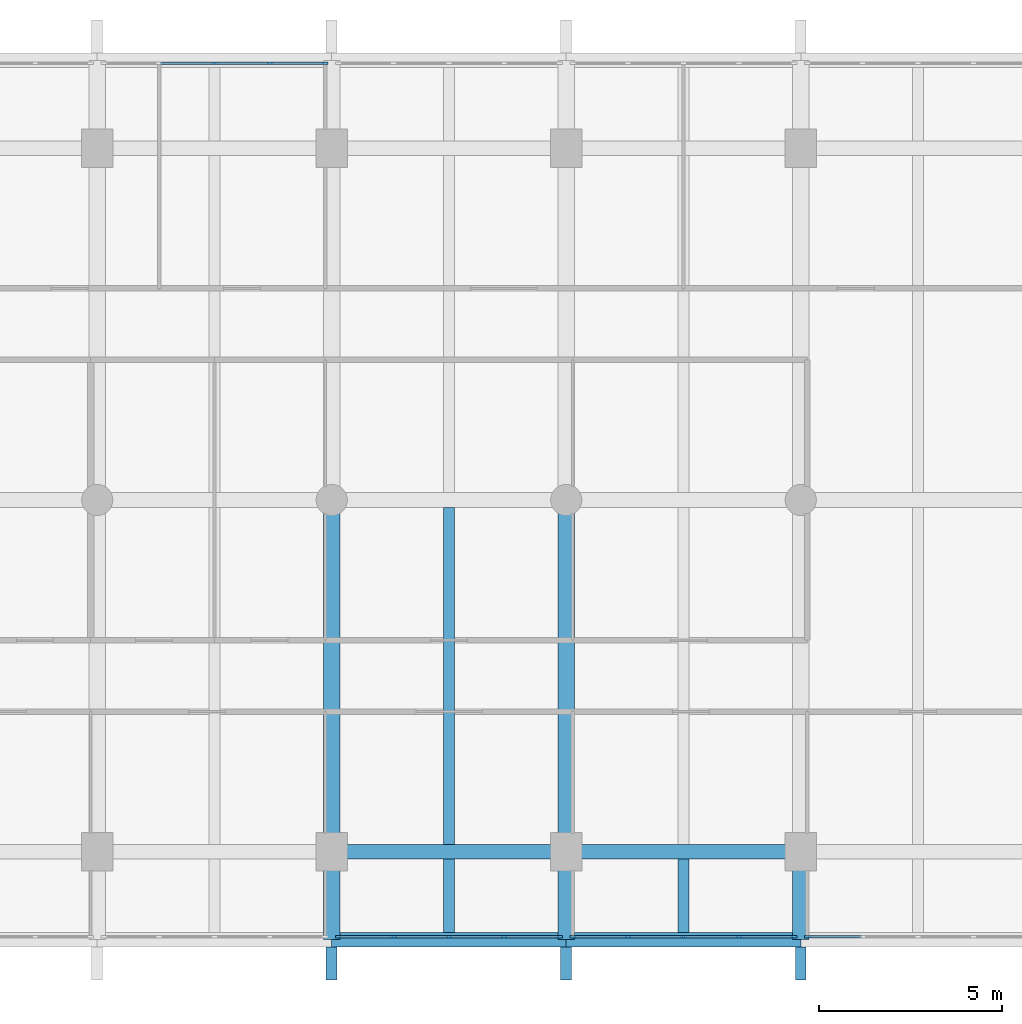
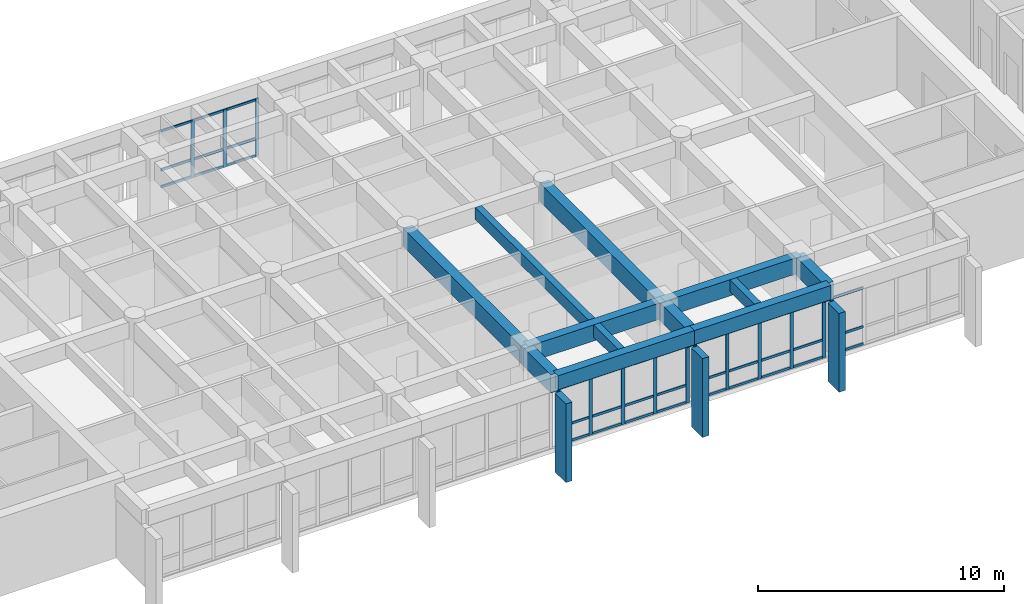
# One storey, part 4 of 15: 53 members, 12 beams, 4 elements without a shape of their own.
"""IFC4 building model written with IfcOpenShell, lengths in metres."""

from ifc_helpers import new_model, si_unit, direction, frame, origin, origin_2d, place, context, subcontext, project, spatial, rectangle, extrude, material, layer, layer_set, material_profile, profile_set, type_object, element, aggregate, save


model = new_model("IFC4")

# Units and contexts
model_context = context("Model", 3, precision=1e-05, world=origin(), true_north=direction((0.0, 1.0)))
body_context = subcontext(model_context, "Body", "Model", "MODEL_VIEW")
ifc_project = project(units=[si_unit("LENGTHUNIT", "METRE"), si_unit("AREAUNIT", "SQUARE_METRE"), si_unit("VOLUMEUNIT", "CUBIC_METRE"), si_unit("PLANEANGLEUNIT", "RADIAN"), si_unit("MASSUNIT", "GRAM", prefix="KILO")], contexts=[model_context])

# Site, building, storey
site_placement = place(None, origin())
site = spatial("IfcSite", under=ifc_project, at=site_placement, CompositionType="ELEMENT")
building_placement = place(site_placement, origin())
building = spatial("IfcBuilding", under=site, at=building_placement, Name="Fogon Plaza Fire Station and Headquarters Tower", CompositionType="ELEMENT")
storey_placement = place(building_placement, frame((0.0, 0.0, 52.199951171875)))
storey = spatial("IfcBuildingStorey", under=building, at=storey_placement, Name="L13", CompositionType="ELEMENT", Elevation=52.199951171875)

# Beams
ifc_material_1 = material(Name="Concrete C40", Category="concrete")
ifc_material_profile_1 = material_profile(ifc_material_1, rectangle(XDim=0.39990234375, YDim=0.699951171875, at=origin_2d()), Name="RC 400x700")
ifc_profile_set_1 = profile_set([ifc_material_profile_1], Name="Concrete C40")
beam_type_1 = type_object("IfcBeamType", Name="BEAM RC 400x700", PredefinedType="BEAM", material=ifc_profile_set_1)
beam_1_placement = place(storey_placement, frame((44.800048828125, 31.199951171875, 3.330078125), z_axis=(1.0, 0.0, 0.0), x_axis=(0.0, 1.0, 0.0)))
element("IfcBeam", 1, at=beam_1_placement, inside=storey, type_object=beam_type_1, Name="beam-L13-042", PredefinedType="BEAM", context=body_context, shape_type="SweptSolid", body=[
    extrude(rectangle(XDim=0.39990234375, YDim=0.699951171875, at=origin_2d()), origin(), (0.0, 0.0, 1.0), 6.39990234375),
])
beam_2_placement = place(storey_placement, frame((51.199951171875, 31.199951171875, 3.330078125), z_axis=(1.0, 0.0, 0.0), x_axis=(0.0, 1.0, 0.0)))
element("IfcBeam", 2, at=beam_2_placement, inside=storey, type_object=beam_type_1, Name="beam-L13-043", PredefinedType="BEAM", context=body_context, shape_type="SweptSolid", body=[
    extrude(rectangle(XDim=0.39990234375, YDim=0.699951171875, at=origin_2d()), origin(), (0.0, 0.0, 1.0), 6.400146484375),
])
ifc_material_2 = material(Name="Concrete C40", Category="concrete")
ifc_material_profile_2 = material_profile(ifc_material_2, rectangle(XDim=0.39990234375, YDim=0.800048828125, at=origin_2d()), Name="RC 400x800")
ifc_profile_set_2 = profile_set([ifc_material_profile_2], Name="Concrete C40")
beam_type_2 = type_object("IfcBeamType", Name="BEAM RC 400x800", PredefinedType="BEAM", material=ifc_profile_set_2)
beam_3_placement = place(storey_placement, frame((44.800048828125, 33.60009765625, 3.280029296875), z_axis=(1.0, 0.0, 0.0), x_axis=(0.0, 1.0, 0.0)))
element("IfcBeam", 3, at=beam_3_placement, inside=storey, type_object=beam_type_2, Name="beam-L13-024", PredefinedType="BEAM", context=body_context, shape_type="SweptSolid", body=[
    extrude(rectangle(XDim=0.39990234375, YDim=0.800048828125, at=origin_2d()), origin(), (0.0, 0.0, 1.0), 6.39990234375),
])
beam_4_placement = place(storey_placement, frame((51.199951171875, 33.60009765625, 3.280029296875), z_axis=(1.0, 0.0, 0.0), x_axis=(0.0, 1.0, 0.0)))
element("IfcBeam", 4, at=beam_4_placement, inside=storey, type_object=beam_type_2, Name="beam-L13-025", PredefinedType="BEAM", context=body_context, shape_type="SweptSolid", body=[
    extrude(rectangle(XDim=0.39990234375, YDim=0.800048828125, at=origin_2d()), origin(), (0.0, 0.0, 1.0), 6.400146484375),
])
ifc_material_3 = material(Name="Concrete C40", Category="concrete")
ifc_material_profile_3 = material_profile(ifc_material_3, rectangle(XDim=0.449951171875, YDim=0.89990234375, at=origin_2d()), Name="RC 450x900")
ifc_profile_set_3 = profile_set([ifc_material_profile_3], Name="Concrete C40")
beam_type_3 = type_object("IfcBeamType", Name="BEAM RC 450x900", PredefinedType="BEAM", material=ifc_profile_set_3)
for number, where, z_axis, x_axis, name in (
    (5, (44.800048828125, 33.60009765625, 3.22998046875), (0.0, 1.0, 0.0), (-1.0, 0.0, 0.0), "beam-L13-010"),
    (6, (51.199951171875, 33.60009765625, 3.22998046875), (0.0, 1.0, 0.0), (-1.0, 0.0, 0.0), "beam-L13-014"),
):
    element("IfcBeam", number, at=place(storey_placement, frame(where, z_axis=z_axis, x_axis=x_axis)), inside=storey, type_object=beam_type_3, Name=name, PredefinedType="BEAM", context=body_context, shape_type="SweptSolid", body=[
        extrude(rectangle(XDim=0.449951171875, YDim=0.89990234375, at=origin_2d()), origin(), (0.0, 0.0, 1.0), 9.599853515625),
    ])
ifc_material_4 = material(Name="Concrete C40", Category="concrete")
ifc_material_profile_4 = material_profile(ifc_material_4, rectangle(XDim=0.449951171875, YDim=0.89990234375, at=origin_2d()), Name="RC 450x900")
ifc_profile_set_4 = profile_set([ifc_material_profile_4], Name="Concrete C40")
beam_type_4 = type_object("IfcBeamType", Name="BEAM RC 450x900 SPAN 0.0 TO 3.0 M", PredefinedType="BEAM", material=ifc_profile_set_4)
for number, where, z_axis, x_axis, name in (
    (7, (44.800048828125, 31.199951171875, 3.22998046875), (0.0, 1.0, 0.0), (-1.0, 0.0, 0.0), "beam-L13-009"),
    (8, (51.199951171875, 31.199951171875, 3.22998046875), (0.0, 1.0, 0.0), (-1.0, 0.0, 0.0), "beam-L13-013"),
    (9, (57.60009765625, 31.199951171875, 3.22998046875), (0.0, 1.0, 0.0), (-1.0, 0.0, 0.0), "beam-L13-017"),
):
    element("IfcBeam", number, at=place(storey_placement, frame(where, z_axis=z_axis, x_axis=x_axis)), inside=storey, type_object=beam_type_4, Name=name, PredefinedType="BEAM", context=body_context, shape_type="SweptSolid", body=[
        extrude(rectangle(XDim=0.449951171875, YDim=0.89990234375, at=origin_2d()), origin(), (0.0, 0.0, 1.0), 2.400146484375),
    ])

# Curtain wall, members
ifc_material_5 = material(Name="Aluminium and glass", Category="aluminium")
ifc_layer = layer(ifc_material_5, 0.14990234375)
ifc_layer_set = layer_set([ifc_layer], Name="Aluminium and glass")
curtain_wall_type = type_object("IfcCurtainWallType", Name="Unitised Curtain Wall Run 6100x2880", PredefinedType="NOTDEFINED", material=ifc_layer_set)
curtain_wall_1_placement = place(storey_placement, origin())
curtain_wall_1 = element("IfcCurtainWall", 10, at=curtain_wall_1_placement, inside=storey, type_object=curtain_wall_type, Name="CW-6100x2880 S4 L13", PredefinedType="NOTDEFINED")
ifc_material_6 = material(Name="Aluminium", Category="aluminium")
ifc_material_profile_5 = material_profile(ifc_material_6, rectangle(XDim=0.06005859375, YDim=0.159912109375, at=origin_2d()), Name="Curtain Wall Mullion 60x160")
ifc_profile_set_5 = profile_set([ifc_material_profile_5], Name="Aluminium")
member_type_1 = type_object("IfcMemberType", Name="Curtain Wall Mullion 60x160", PredefinedType="MULLION", material=ifc_profile_set_5)
member_1_placement = place(storey_placement, frame((44.97998046875, 31.280029296875, 0.0), z_axis=(0.0, 0.0, 1.0), x_axis=(0.0, 1.0, 0.0)))
member_1 = element("IfcMember", 11, at=member_1_placement, type_object=member_type_1, Name="CW-6100x2880 mullion 1", PredefinedType="MULLION", context=body_context, shape_type="SweptSolid", body=[
    extrude(rectangle(XDim=0.06005859375, YDim=0.159912109375, at=origin_2d()), origin(), (0.0, 0.0, 1.0), 2.880126953125),
])
member_2_placement = place(storey_placement, frame((46.489990234375, 31.280029296875, 0.0), z_axis=(0.0, 0.0, 1.0), x_axis=(0.0, 1.0, 0.0)))
member_2 = element("IfcMember", 12, at=member_2_placement, type_object=member_type_1, Name="CW-6100x2880 mullion 2", PredefinedType="MULLION", context=body_context, shape_type="SweptSolid", body=[
    extrude(rectangle(XDim=0.06005859375, YDim=0.159912109375, at=origin_2d()), origin(), (0.0, 0.0, 1.0), 2.880126953125),
])
member_3_placement = place(storey_placement, frame((48.0, 31.280029296875, 0.0), z_axis=(0.0, 0.0, 1.0), x_axis=(0.0, 1.0, 0.0)))
member_3 = element("IfcMember", 13, at=member_3_placement, type_object=member_type_1, Name="CW-6100x2880 mullion 3", PredefinedType="MULLION", context=body_context, shape_type="SweptSolid", body=[
    extrude(rectangle(XDim=0.06005859375, YDim=0.159912109375, at=origin_2d()), origin(), (0.0, 0.0, 1.0), 2.880126953125),
])
member_4_placement = place(storey_placement, frame((49.510009765625, 31.280029296875, 0.0), z_axis=(0.0, 0.0, 1.0), x_axis=(0.0, 1.0, 0.0)))
member_4 = element("IfcMember", 14, at=member_4_placement, type_object=member_type_1, Name="CW-6100x2880 mullion 4", PredefinedType="MULLION", context=body_context, shape_type="SweptSolid", body=[
    extrude(rectangle(XDim=0.06005859375, YDim=0.159912109375, at=origin_2d()), origin(), (0.0, 0.0, 1.0), 2.880126953125),
])
member_5_placement = place(storey_placement, frame((51.02001953125, 31.280029296875, 0.0), z_axis=(0.0, 0.0, 1.0), x_axis=(0.0, 1.0, 0.0)))
member_5 = element("IfcMember", 15, at=member_5_placement, type_object=member_type_1, Name="CW-6100x2880 mullion 5", PredefinedType="MULLION", context=body_context, shape_type="SweptSolid", body=[
    extrude(rectangle(XDim=0.06005859375, YDim=0.159912109375, at=origin_2d()), origin(), (0.0, 0.0, 1.0), 2.880126953125),
])

curtain_wall_2_placement = place(storey_placement, origin())
curtain_wall_2 = element("IfcCurtainWall", 16, at=curtain_wall_2_placement, inside=storey, type_object=curtain_wall_type, Name="CW-6100x2880 S5 L13", PredefinedType="NOTDEFINED")
member_6_placement = place(storey_placement, frame((51.3798828125, 31.280029296875, 0.0), z_axis=(0.0, 0.0, 1.0), x_axis=(0.0, 1.0, 0.0)))
member_6 = element("IfcMember", 17, at=member_6_placement, type_object=member_type_1, Name="CW-6100x2880 mullion 1", PredefinedType="MULLION", context=body_context, shape_type="SweptSolid", body=[
    extrude(rectangle(XDim=0.06005859375, YDim=0.159912109375, at=origin_2d()), origin(), (0.0, 0.0, 1.0), 2.880126953125),
])
member_7_placement = place(storey_placement, frame((52.889892578125, 31.280029296875, 0.0), z_axis=(0.0, 0.0, 1.0), x_axis=(0.0, 1.0, 0.0)))
member_7 = element("IfcMember", 18, at=member_7_placement, type_object=member_type_1, Name="CW-6100x2880 mullion 2", PredefinedType="MULLION", context=body_context, shape_type="SweptSolid", body=[
    extrude(rectangle(XDim=0.06005859375, YDim=0.159912109375, at=origin_2d()), origin(), (0.0, 0.0, 1.0), 2.880126953125),
])
member_8_placement = place(storey_placement, frame((54.39990234375, 31.280029296875, 0.0), z_axis=(0.0, 0.0, 1.0), x_axis=(0.0, 1.0, 0.0)))
member_8 = element("IfcMember", 19, at=member_8_placement, type_object=member_type_1, Name="CW-6100x2880 mullion 3", PredefinedType="MULLION", context=body_context, shape_type="SweptSolid", body=[
    extrude(rectangle(XDim=0.06005859375, YDim=0.159912109375, at=origin_2d()), origin(), (0.0, 0.0, 1.0), 2.880126953125),
])
member_9_placement = place(storey_placement, frame((55.909912109375, 31.280029296875, 0.0), z_axis=(0.0, 0.0, 1.0), x_axis=(0.0, 1.0, 0.0)))
member_9 = element("IfcMember", 20, at=member_9_placement, type_object=member_type_1, Name="CW-6100x2880 mullion 4", PredefinedType="MULLION", context=body_context, shape_type="SweptSolid", body=[
    extrude(rectangle(XDim=0.06005859375, YDim=0.159912109375, at=origin_2d()), origin(), (0.0, 0.0, 1.0), 2.880126953125),
])
member_10_placement = place(storey_placement, frame((57.419921875, 31.280029296875, 0.0), z_axis=(0.0, 0.0, 1.0), x_axis=(0.0, 1.0, 0.0)))
member_10 = element("IfcMember", 21, at=member_10_placement, type_object=member_type_1, Name="CW-6100x2880 mullion 5", PredefinedType="MULLION", context=body_context, shape_type="SweptSolid", body=[
    extrude(rectangle(XDim=0.06005859375, YDim=0.159912109375, at=origin_2d()), origin(), (0.0, 0.0, 1.0), 2.880126953125),
])

# Curtain wall, member
curtain_wall_3_placement = place(storey_placement, origin())
curtain_wall_3 = element("IfcCurtainWall", 22, at=curtain_wall_3_placement, inside=storey, type_object=curtain_wall_type, Name="CW-6100x2880 S6 L13", PredefinedType="NOTDEFINED")
member_11_placement = place(storey_placement, frame((57.780029296875, 31.280029296875, 0.0), z_axis=(0.0, 0.0, 1.0), x_axis=(0.0, 1.0, 0.0)))
member_11 = element("IfcMember", 23, at=member_11_placement, type_object=member_type_1, Name="CW-6100x2880 mullion 1", PredefinedType="MULLION", context=body_context, shape_type="SweptSolid", body=[
    extrude(rectangle(XDim=0.06005859375, YDim=0.159912109375, at=origin_2d()), origin(), (0.0, 0.0, 1.0), 2.880126953125),
])

# Curtain wall, members
curtain_wall_4_placement = place(storey_placement, origin())
curtain_wall_4 = element("IfcCurtainWall", 24, at=curtain_wall_4_placement, inside=storey, type_object=curtain_wall_type, Name="CW-6100x2880 N3 L13", PredefinedType="NOTDEFINED")
member_12_placement = place(storey_placement, frame((41.60009765625, 55.1201171875, 0.0), z_axis=(0.0, 0.0, 1.0), x_axis=(0.0, 1.0, 0.0)))
member_12 = element("IfcMember", 25, at=member_12_placement, type_object=member_type_1, Name="CW-6100x2880 mullion 3", PredefinedType="MULLION", context=body_context, shape_type="SweptSolid", body=[
    extrude(rectangle(XDim=0.06005859375, YDim=0.159912109375, at=origin_2d()), origin(), (0.0, 0.0, 1.0), 2.880126953125),
])
member_13_placement = place(storey_placement, frame((43.110107421875, 55.1201171875, 0.0), z_axis=(0.0, 0.0, 1.0), x_axis=(0.0, 1.0, 0.0)))
member_13 = element("IfcMember", 26, at=member_13_placement, type_object=member_type_1, Name="CW-6100x2880 mullion 4", PredefinedType="MULLION", context=body_context, shape_type="SweptSolid", body=[
    extrude(rectangle(XDim=0.06005859375, YDim=0.159912109375, at=origin_2d()), origin(), (0.0, 0.0, 1.0), 2.880126953125),
])
member_14_placement = place(storey_placement, frame((44.6201171875, 55.1201171875, 0.0), z_axis=(0.0, 0.0, 1.0), x_axis=(0.0, 1.0, 0.0)))
member_14 = element("IfcMember", 27, at=member_14_placement, type_object=member_type_1, Name="CW-6100x2880 mullion 5", PredefinedType="MULLION", context=body_context, shape_type="SweptSolid", body=[
    extrude(rectangle(XDim=0.06005859375, YDim=0.159912109375, at=origin_2d()), origin(), (0.0, 0.0, 1.0), 2.880126953125),
])

# Member
ifc_material_7 = material(Name="Aluminium", Category="aluminium")
ifc_material_profile_6 = material_profile(ifc_material_7, rectangle(XDim=0.06005859375, YDim=0.1201171875, at=origin_2d()), Name="Curtain Wall Transom 60x120")
ifc_profile_set_6 = profile_set([ifc_material_profile_6], Name="Aluminium")
member_type_2 = type_object("IfcMemberType", Name="Curtain Wall Transom 60x120", PredefinedType="USERDEFINED", material=ifc_profile_set_6)
member_15_placement = place(storey_placement, frame((45.010009765625, 31.280029296875, 0.06005859375), z_axis=(1.0, 0.0, 0.0), x_axis=(0.0, 1.0, 0.0)))
member_15 = element("IfcMember", 28, at=member_15_placement, type_object=member_type_2, Name="CW-6100x2880 transom 1.1", ObjectType="TRANSOM", PredefinedType="USERDEFINED", context=body_context, shape_type="SweptSolid", body=[
    extrude(rectangle(XDim=0.06005859375, YDim=0.1201171875, at=origin_2d()), origin(), (0.0, 0.0, 1.0), 1.449951171875),
])

member_16_placement = place(storey_placement, frame((45.010009765625, 31.280029296875, 0.900146484375), z_axis=(1.0, 0.0, 0.0), x_axis=(0.0, 1.0, 0.0)))
member_16 = element("IfcMember", 29, at=member_16_placement, type_object=member_type_2, Name="CW-6100x2880 transom 1.2", ObjectType="TRANSOM", PredefinedType="USERDEFINED", context=body_context, shape_type="SweptSolid", body=[
    extrude(rectangle(XDim=0.06005859375, YDim=0.1201171875, at=origin_2d()), origin(), (0.0, 0.0, 1.0), 1.449951171875),
])

member_17_placement = place(storey_placement, frame((45.010009765625, 31.280029296875, 2.820068359375), z_axis=(1.0, 0.0, 0.0), x_axis=(0.0, 1.0, 0.0)))
member_17 = element("IfcMember", 30, at=member_17_placement, type_object=member_type_2, Name="CW-6100x2880 transom 1.3", ObjectType="TRANSOM", PredefinedType="USERDEFINED", context=body_context, shape_type="SweptSolid", body=[
    extrude(rectangle(XDim=0.06005859375, YDim=0.1201171875, at=origin_2d()), origin(), (0.0, 0.0, 1.0), 1.449951171875),
])

member_18_placement = place(storey_placement, frame((46.52001953125, 31.280029296875, 0.06005859375), z_axis=(1.0, 0.0, 0.0), x_axis=(0.0, 1.0, 0.0)))
member_18 = element("IfcMember", 31, at=member_18_placement, type_object=member_type_2, Name="CW-6100x2880 transom 2.1", ObjectType="TRANSOM", PredefinedType="USERDEFINED", context=body_context, shape_type="SweptSolid", body=[
    extrude(rectangle(XDim=0.06005859375, YDim=0.1201171875, at=origin_2d()), origin(), (0.0, 0.0, 1.0), 1.449951171875),
])

member_19_placement = place(storey_placement, frame((46.52001953125, 31.280029296875, 0.900146484375), z_axis=(1.0, 0.0, 0.0), x_axis=(0.0, 1.0, 0.0)))
member_19 = element("IfcMember", 32, at=member_19_placement, type_object=member_type_2, Name="CW-6100x2880 transom 2.2", ObjectType="TRANSOM", PredefinedType="USERDEFINED", context=body_context, shape_type="SweptSolid", body=[
    extrude(rectangle(XDim=0.06005859375, YDim=0.1201171875, at=origin_2d()), origin(), (0.0, 0.0, 1.0), 1.449951171875),
])

member_20_placement = place(storey_placement, frame((46.52001953125, 31.280029296875, 2.820068359375), z_axis=(1.0, 0.0, 0.0), x_axis=(0.0, 1.0, 0.0)))
member_20 = element("IfcMember", 33, at=member_20_placement, type_object=member_type_2, Name="CW-6100x2880 transom 2.3", ObjectType="TRANSOM", PredefinedType="USERDEFINED", context=body_context, shape_type="SweptSolid", body=[
    extrude(rectangle(XDim=0.06005859375, YDim=0.1201171875, at=origin_2d()), origin(), (0.0, 0.0, 1.0), 1.449951171875),
])

member_21_placement = place(storey_placement, frame((48.030029296875, 31.280029296875, 0.06005859375), z_axis=(1.0, 0.0, 0.0), x_axis=(0.0, 1.0, 0.0)))
member_21 = element("IfcMember", 34, at=member_21_placement, type_object=member_type_2, Name="CW-6100x2880 transom 3.1", ObjectType="TRANSOM", PredefinedType="USERDEFINED", context=body_context, shape_type="SweptSolid", body=[
    extrude(rectangle(XDim=0.06005859375, YDim=0.1201171875, at=origin_2d()), origin(), (0.0, 0.0, 1.0), 1.449951171875),
])

member_22_placement = place(storey_placement, frame((48.030029296875, 31.280029296875, 0.900146484375), z_axis=(1.0, 0.0, 0.0), x_axis=(0.0, 1.0, 0.0)))
member_22 = element("IfcMember", 35, at=member_22_placement, type_object=member_type_2, Name="CW-6100x2880 transom 3.2", ObjectType="TRANSOM", PredefinedType="USERDEFINED", context=body_context, shape_type="SweptSolid", body=[
    extrude(rectangle(XDim=0.06005859375, YDim=0.1201171875, at=origin_2d()), origin(), (0.0, 0.0, 1.0), 1.449951171875),
])

member_23_placement = place(storey_placement, frame((48.030029296875, 31.280029296875, 2.820068359375), z_axis=(1.0, 0.0, 0.0), x_axis=(0.0, 1.0, 0.0)))
member_23 = element("IfcMember", 36, at=member_23_placement, type_object=member_type_2, Name="CW-6100x2880 transom 3.3", ObjectType="TRANSOM", PredefinedType="USERDEFINED", context=body_context, shape_type="SweptSolid", body=[
    extrude(rectangle(XDim=0.06005859375, YDim=0.1201171875, at=origin_2d()), origin(), (0.0, 0.0, 1.0), 1.449951171875),
])

member_24_placement = place(storey_placement, frame((49.5400390625, 31.280029296875, 0.06005859375), z_axis=(1.0, 0.0, 0.0), x_axis=(0.0, 1.0, 0.0)))
member_24 = element("IfcMember", 37, at=member_24_placement, type_object=member_type_2, Name="CW-6100x2880 transom 4.1", ObjectType="TRANSOM", PredefinedType="USERDEFINED", context=body_context, shape_type="SweptSolid", body=[
    extrude(rectangle(XDim=0.06005859375, YDim=0.1201171875, at=origin_2d()), origin(), (0.0, 0.0, 1.0), 1.449951171875),
])

member_25_placement = place(storey_placement, frame((49.5400390625, 31.280029296875, 0.900146484375), z_axis=(1.0, 0.0, 0.0), x_axis=(0.0, 1.0, 0.0)))
member_25 = element("IfcMember", 38, at=member_25_placement, type_object=member_type_2, Name="CW-6100x2880 transom 4.2", ObjectType="TRANSOM", PredefinedType="USERDEFINED", context=body_context, shape_type="SweptSolid", body=[
    extrude(rectangle(XDim=0.06005859375, YDim=0.1201171875, at=origin_2d()), origin(), (0.0, 0.0, 1.0), 1.449951171875),
])

member_26_placement = place(storey_placement, frame((49.5400390625, 31.280029296875, 2.820068359375), z_axis=(1.0, 0.0, 0.0), x_axis=(0.0, 1.0, 0.0)))
member_26 = element("IfcMember", 39, at=member_26_placement, type_object=member_type_2, Name="CW-6100x2880 transom 4.3", ObjectType="TRANSOM", PredefinedType="USERDEFINED", context=body_context, shape_type="SweptSolid", body=[
    extrude(rectangle(XDim=0.06005859375, YDim=0.1201171875, at=origin_2d()), origin(), (0.0, 0.0, 1.0), 1.449951171875),
])

aggregate(curtain_wall_1, [member_1, member_2, member_3, member_4, member_5, member_15, member_16, member_17, member_18, member_19, member_20, member_21, member_22, member_23, member_24, member_25, member_26])

member_27_placement = place(storey_placement, frame((51.409912109375, 31.280029296875, 0.06005859375), z_axis=(1.0, 0.0, 0.0), x_axis=(0.0, 1.0, 0.0)))
member_27 = element("IfcMember", 40, at=member_27_placement, type_object=member_type_2, Name="CW-6100x2880 transom 1.1", ObjectType="TRANSOM", PredefinedType="USERDEFINED", context=body_context, shape_type="SweptSolid", body=[
    extrude(rectangle(XDim=0.06005859375, YDim=0.1201171875, at=origin_2d()), origin(), (0.0, 0.0, 1.0), 1.4501953125),
])

member_28_placement = place(storey_placement, frame((51.409912109375, 31.280029296875, 0.900146484375), z_axis=(1.0, 0.0, 0.0), x_axis=(0.0, 1.0, 0.0)))
member_28 = element("IfcMember", 41, at=member_28_placement, type_object=member_type_2, Name="CW-6100x2880 transom 1.2", ObjectType="TRANSOM", PredefinedType="USERDEFINED", context=body_context, shape_type="SweptSolid", body=[
    extrude(rectangle(XDim=0.06005859375, YDim=0.1201171875, at=origin_2d()), origin(), (0.0, 0.0, 1.0), 1.4501953125),
])

member_29_placement = place(storey_placement, frame((51.409912109375, 31.280029296875, 2.820068359375), z_axis=(1.0, 0.0, 0.0), x_axis=(0.0, 1.0, 0.0)))
member_29 = element("IfcMember", 42, at=member_29_placement, type_object=member_type_2, Name="CW-6100x2880 transom 1.3", ObjectType="TRANSOM", PredefinedType="USERDEFINED", context=body_context, shape_type="SweptSolid", body=[
    extrude(rectangle(XDim=0.06005859375, YDim=0.1201171875, at=origin_2d()), origin(), (0.0, 0.0, 1.0), 1.4501953125),
])

member_30_placement = place(storey_placement, frame((52.919921875, 31.280029296875, 0.06005859375), z_axis=(1.0, 0.0, 0.0), x_axis=(0.0, 1.0, 0.0)))
member_30 = element("IfcMember", 43, at=member_30_placement, type_object=member_type_2, Name="CW-6100x2880 transom 2.1", ObjectType="TRANSOM", PredefinedType="USERDEFINED", context=body_context, shape_type="SweptSolid", body=[
    extrude(rectangle(XDim=0.06005859375, YDim=0.1201171875, at=origin_2d()), origin(), (0.0, 0.0, 1.0), 1.4501953125),
])

member_31_placement = place(storey_placement, frame((52.919921875, 31.280029296875, 0.900146484375), z_axis=(1.0, 0.0, 0.0), x_axis=(0.0, 1.0, 0.0)))
member_31 = element("IfcMember", 44, at=member_31_placement, type_object=member_type_2, Name="CW-6100x2880 transom 2.2", ObjectType="TRANSOM", PredefinedType="USERDEFINED", context=body_context, shape_type="SweptSolid", body=[
    extrude(rectangle(XDim=0.06005859375, YDim=0.1201171875, at=origin_2d()), origin(), (0.0, 0.0, 1.0), 1.4501953125),
])

member_32_placement = place(storey_placement, frame((52.919921875, 31.280029296875, 2.820068359375), z_axis=(1.0, 0.0, 0.0), x_axis=(0.0, 1.0, 0.0)))
member_32 = element("IfcMember", 45, at=member_32_placement, type_object=member_type_2, Name="CW-6100x2880 transom 2.3", ObjectType="TRANSOM", PredefinedType="USERDEFINED", context=body_context, shape_type="SweptSolid", body=[
    extrude(rectangle(XDim=0.06005859375, YDim=0.1201171875, at=origin_2d()), origin(), (0.0, 0.0, 1.0), 1.4501953125),
])

member_33_placement = place(storey_placement, frame((54.429931640625, 31.280029296875, 0.06005859375), z_axis=(1.0, 0.0, 0.0), x_axis=(0.0, 1.0, 0.0)))
member_33 = element("IfcMember", 46, at=member_33_placement, type_object=member_type_2, Name="CW-6100x2880 transom 3.1", ObjectType="TRANSOM", PredefinedType="USERDEFINED", context=body_context, shape_type="SweptSolid", body=[
    extrude(rectangle(XDim=0.06005859375, YDim=0.1201171875, at=origin_2d()), origin(), (0.0, 0.0, 1.0), 1.449951171875),
])

member_34_placement = place(storey_placement, frame((54.429931640625, 31.280029296875, 0.900146484375), z_axis=(1.0, 0.0, 0.0), x_axis=(0.0, 1.0, 0.0)))
member_34 = element("IfcMember", 47, at=member_34_placement, type_object=member_type_2, Name="CW-6100x2880 transom 3.2", ObjectType="TRANSOM", PredefinedType="USERDEFINED", context=body_context, shape_type="SweptSolid", body=[
    extrude(rectangle(XDim=0.06005859375, YDim=0.1201171875, at=origin_2d()), origin(), (0.0, 0.0, 1.0), 1.449951171875),
])

member_35_placement = place(storey_placement, frame((54.429931640625, 31.280029296875, 2.820068359375), z_axis=(1.0, 0.0, 0.0), x_axis=(0.0, 1.0, 0.0)))
member_35 = element("IfcMember", 48, at=member_35_placement, type_object=member_type_2, Name="CW-6100x2880 transom 3.3", ObjectType="TRANSOM", PredefinedType="USERDEFINED", context=body_context, shape_type="SweptSolid", body=[
    extrude(rectangle(XDim=0.06005859375, YDim=0.1201171875, at=origin_2d()), origin(), (0.0, 0.0, 1.0), 1.449951171875),
])

member_36_placement = place(storey_placement, frame((55.93994140625, 31.280029296875, 0.06005859375), z_axis=(1.0, 0.0, 0.0), x_axis=(0.0, 1.0, 0.0)))
member_36 = element("IfcMember", 49, at=member_36_placement, type_object=member_type_2, Name="CW-6100x2880 transom 4.1", ObjectType="TRANSOM", PredefinedType="USERDEFINED", context=body_context, shape_type="SweptSolid", body=[
    extrude(rectangle(XDim=0.06005859375, YDim=0.1201171875, at=origin_2d()), origin(), (0.0, 0.0, 1.0), 1.449951171875),
])

member_37_placement = place(storey_placement, frame((55.93994140625, 31.280029296875, 0.900146484375), z_axis=(1.0, 0.0, 0.0), x_axis=(0.0, 1.0, 0.0)))
member_37 = element("IfcMember", 50, at=member_37_placement, type_object=member_type_2, Name="CW-6100x2880 transom 4.2", ObjectType="TRANSOM", PredefinedType="USERDEFINED", context=body_context, shape_type="SweptSolid", body=[
    extrude(rectangle(XDim=0.06005859375, YDim=0.1201171875, at=origin_2d()), origin(), (0.0, 0.0, 1.0), 1.449951171875),
])

member_38_placement = place(storey_placement, frame((55.93994140625, 31.280029296875, 2.820068359375), z_axis=(1.0, 0.0, 0.0), x_axis=(0.0, 1.0, 0.0)))
member_38 = element("IfcMember", 51, at=member_38_placement, type_object=member_type_2, Name="CW-6100x2880 transom 4.3", ObjectType="TRANSOM", PredefinedType="USERDEFINED", context=body_context, shape_type="SweptSolid", body=[
    extrude(rectangle(XDim=0.06005859375, YDim=0.1201171875, at=origin_2d()), origin(), (0.0, 0.0, 1.0), 1.449951171875),
])

aggregate(curtain_wall_2, [member_6, member_7, member_8, member_9, member_10, member_27, member_28, member_29, member_30, member_31, member_32, member_33, member_34, member_35, member_36, member_37, member_38])

member_39_placement = place(storey_placement, frame((57.81005859375, 31.280029296875, 0.06005859375), z_axis=(1.0, 0.0, 0.0), x_axis=(0.0, 1.0, 0.0)))
member_39 = element("IfcMember", 52, at=member_39_placement, type_object=member_type_2, Name="CW-6100x2880 transom 1.1", ObjectType="TRANSOM", PredefinedType="USERDEFINED", context=body_context, shape_type="SweptSolid", body=[
    extrude(rectangle(XDim=0.06005859375, YDim=0.1201171875, at=origin_2d()), origin(), (0.0, 0.0, 1.0), 1.449951171875),
])

member_40_placement = place(storey_placement, frame((57.81005859375, 31.280029296875, 0.900146484375), z_axis=(1.0, 0.0, 0.0), x_axis=(0.0, 1.0, 0.0)))
member_40 = element("IfcMember", 53, at=member_40_placement, type_object=member_type_2, Name="CW-6100x2880 transom 1.2", ObjectType="TRANSOM", PredefinedType="USERDEFINED", context=body_context, shape_type="SweptSolid", body=[
    extrude(rectangle(XDim=0.06005859375, YDim=0.1201171875, at=origin_2d()), origin(), (0.0, 0.0, 1.0), 1.449951171875),
])

member_41_placement = place(storey_placement, frame((57.81005859375, 31.280029296875, 2.820068359375), z_axis=(1.0, 0.0, 0.0), x_axis=(0.0, 1.0, 0.0)))
member_41 = element("IfcMember", 54, at=member_41_placement, type_object=member_type_2, Name="CW-6100x2880 transom 1.3", ObjectType="TRANSOM", PredefinedType="USERDEFINED", context=body_context, shape_type="SweptSolid", body=[
    extrude(rectangle(XDim=0.06005859375, YDim=0.1201171875, at=origin_2d()), origin(), (0.0, 0.0, 1.0), 1.449951171875),
])

aggregate(curtain_wall_3, [member_11, member_39, member_40, member_41])

member_42_placement = place(storey_placement, frame((40.1201171875, 55.1201171875, 0.06005859375), z_axis=(1.0, 0.0, 0.0), x_axis=(0.0, 1.0, 0.0)))
member_42 = element("IfcMember", 55, at=member_42_placement, type_object=member_type_2, Name="CW-6100x2880 transom 2.1", ObjectType="TRANSOM", PredefinedType="USERDEFINED", context=body_context, shape_type="SweptSolid", body=[
    extrude(rectangle(XDim=0.06005859375, YDim=0.1201171875, at=origin_2d()), origin(), (0.0, 0.0, 1.0), 1.449951171875),
])

member_43_placement = place(storey_placement, frame((40.1201171875, 55.1201171875, 0.900146484375), z_axis=(1.0, 0.0, 0.0), x_axis=(0.0, 1.0, 0.0)))
member_43 = element("IfcMember", 56, at=member_43_placement, type_object=member_type_2, Name="CW-6100x2880 transom 2.2", ObjectType="TRANSOM", PredefinedType="USERDEFINED", context=body_context, shape_type="SweptSolid", body=[
    extrude(rectangle(XDim=0.06005859375, YDim=0.1201171875, at=origin_2d()), origin(), (0.0, 0.0, 1.0), 1.449951171875),
])

member_44_placement = place(storey_placement, frame((40.1201171875, 55.1201171875, 2.820068359375), z_axis=(1.0, 0.0, 0.0), x_axis=(0.0, 1.0, 0.0)))
member_44 = element("IfcMember", 57, at=member_44_placement, type_object=member_type_2, Name="CW-6100x2880 transom 2.3", ObjectType="TRANSOM", PredefinedType="USERDEFINED", context=body_context, shape_type="SweptSolid", body=[
    extrude(rectangle(XDim=0.06005859375, YDim=0.1201171875, at=origin_2d()), origin(), (0.0, 0.0, 1.0), 1.449951171875),
])

member_45_placement = place(storey_placement, frame((41.6298828125, 55.1201171875, 0.06005859375), z_axis=(1.0, 0.0, 0.0), x_axis=(0.0, 1.0, 0.0)))
member_45 = element("IfcMember", 58, at=member_45_placement, type_object=member_type_2, Name="CW-6100x2880 transom 3.1", ObjectType="TRANSOM", PredefinedType="USERDEFINED", context=body_context, shape_type="SweptSolid", body=[
    extrude(rectangle(XDim=0.06005859375, YDim=0.1201171875, at=origin_2d()), origin(), (0.0, 0.0, 1.0), 1.4501953125),
])

member_46_placement = place(storey_placement, frame((41.6298828125, 55.1201171875, 0.900146484375), z_axis=(1.0, 0.0, 0.0), x_axis=(0.0, 1.0, 0.0)))
member_46 = element("IfcMember", 59, at=member_46_placement, type_object=member_type_2, Name="CW-6100x2880 transom 3.2", ObjectType="TRANSOM", PredefinedType="USERDEFINED", context=body_context, shape_type="SweptSolid", body=[
    extrude(rectangle(XDim=0.06005859375, YDim=0.1201171875, at=origin_2d()), origin(), (0.0, 0.0, 1.0), 1.4501953125),
])

member_47_placement = place(storey_placement, frame((41.6298828125, 55.1201171875, 2.820068359375), z_axis=(1.0, 0.0, 0.0), x_axis=(0.0, 1.0, 0.0)))
member_47 = element("IfcMember", 60, at=member_47_placement, type_object=member_type_2, Name="CW-6100x2880 transom 3.3", ObjectType="TRANSOM", PredefinedType="USERDEFINED", context=body_context, shape_type="SweptSolid", body=[
    extrude(rectangle(XDim=0.06005859375, YDim=0.1201171875, at=origin_2d()), origin(), (0.0, 0.0, 1.0), 1.4501953125),
])

member_48_placement = place(storey_placement, frame((43.139892578125, 55.1201171875, 0.06005859375), z_axis=(1.0, 0.0, 0.0), x_axis=(0.0, 1.0, 0.0)))
member_48 = element("IfcMember", 61, at=member_48_placement, type_object=member_type_2, Name="CW-6100x2880 transom 4.1", ObjectType="TRANSOM", PredefinedType="USERDEFINED", context=body_context, shape_type="SweptSolid", body=[
    extrude(rectangle(XDim=0.06005859375, YDim=0.1201171875, at=origin_2d()), origin(), (0.0, 0.0, 1.0), 1.4501953125),
])

member_49_placement = place(storey_placement, frame((43.139892578125, 55.1201171875, 0.900146484375), z_axis=(1.0, 0.0, 0.0), x_axis=(0.0, 1.0, 0.0)))
member_49 = element("IfcMember", 62, at=member_49_placement, type_object=member_type_2, Name="CW-6100x2880 transom 4.2", ObjectType="TRANSOM", PredefinedType="USERDEFINED", context=body_context, shape_type="SweptSolid", body=[
    extrude(rectangle(XDim=0.06005859375, YDim=0.1201171875, at=origin_2d()), origin(), (0.0, 0.0, 1.0), 1.4501953125),
])

member_50_placement = place(storey_placement, frame((43.139892578125, 55.1201171875, 2.820068359375), z_axis=(1.0, 0.0, 0.0), x_axis=(0.0, 1.0, 0.0)))
member_50 = element("IfcMember", 63, at=member_50_placement, type_object=member_type_2, Name="CW-6100x2880 transom 4.3", ObjectType="TRANSOM", PredefinedType="USERDEFINED", context=body_context, shape_type="SweptSolid", body=[
    extrude(rectangle(XDim=0.06005859375, YDim=0.1201171875, at=origin_2d()), origin(), (0.0, 0.0, 1.0), 1.4501953125),
])

aggregate(curtain_wall_4, [member_12, member_13, member_14, member_42, member_43, member_44, member_45, member_46, member_47, member_48, member_49, member_50])

# Beams
ifc_material_8 = material(Name="Concrete C40", Category="concrete")
ifc_material_profile_7 = material_profile(ifc_material_8, rectangle(XDim=0.300048828125, YDim=0.60009765625, at=origin_2d()), Name="RC 300x600")
ifc_profile_set_7 = profile_set([ifc_material_profile_7], Name="Concrete C40")
beam_type_5 = type_object("IfcBeamType", Name="JOIST RC 300x600", PredefinedType="JOIST", material=ifc_profile_set_7)
beam_5_placement = place(storey_placement, frame((48.0, 33.800048828125, 3.380126953125), z_axis=(0.0, 1.0, 0.0), x_axis=(-1.0, 0.0, 0.0)))
element("IfcBeam", 64, at=beam_5_placement, inside=storey, type_object=beam_type_5, Name="beam-L13-068", PredefinedType="JOIST", context=body_context, shape_type="SweptSolid", body=[
    extrude(rectangle(XDim=0.300048828125, YDim=0.60009765625, at=origin_2d()), origin(), (0.0, 0.0, 1.0), 9.199951171875),
])
ifc_material_9 = material(Name="Concrete C40", Category="concrete")
ifc_material_profile_8 = material_profile(ifc_material_9, rectangle(XDim=0.300048828125, YDim=0.60009765625, at=origin_2d()), Name="RC 300x600")
ifc_profile_set_8 = profile_set([ifc_material_profile_8], Name="Concrete C40")
beam_type_6 = type_object("IfcBeamType", Name="JOIST RC 300x600 SPAN 0.0 TO 3.0 M", PredefinedType="JOIST", material=ifc_profile_set_8)
for number, where, z_axis, x_axis, name in (
    (65, (48.0, 31.39990234375, 3.380126953125), (0.0, 1.0, 0.0), (-1.0, 0.0, 0.0), "beam-L13-067"),
    (66, (54.39990234375, 31.39990234375, 3.380126953125), (0.0, 1.0, 0.0), (-1.0, 0.0, 0.0), "beam-L13-071"),
):
    element("IfcBeam", number, at=place(storey_placement, frame(where, z_axis=z_axis, x_axis=x_axis)), inside=storey, type_object=beam_type_6, Name=name, PredefinedType="JOIST", context=body_context, shape_type="SweptSolid", body=[
        extrude(rectangle(XDim=0.300048828125, YDim=0.60009765625, at=origin_2d()), origin(), (0.0, 0.0, 1.0), 2.0),
    ])

# Members
ifc_material_10 = material(Name="Concrete C40 precast", Category="concrete")
ifc_material_profile_9 = material_profile(ifc_material_10, rectangle(XDim=0.300048828125, YDim=0.89990234375, at=origin_2d()), Name="Precast Concrete Post 300x900")
ifc_profile_set_9 = profile_set([ifc_material_profile_9], Name="Concrete C40 precast")
member_type_3 = type_object("IfcMemberType", Name="Precast Concrete Post 300x900", PredefinedType="POST", material=ifc_profile_set_9)
for number, where, z_axis, x_axis, name in (
    (67, (44.800048828125, 30.550048828125, -1.02001953125), (0.0, 0.0, 1.0), (1.0, 0.0, 0.0), "Precast Post S L13"),
    (68, (51.199951171875, 30.550048828125, -1.02001953125), (0.0, 0.0, 1.0), (1.0, 0.0, 0.0), "Precast Post S L13"),
    (69, (57.60009765625, 30.550048828125, -1.02001953125), (0.0, 0.0, 1.0), (1.0, 0.0, 0.0), "Precast Post S L13"),
):
    element("IfcMember", number, at=place(storey_placement, frame(where, z_axis=z_axis, x_axis=x_axis)), inside=storey, type_object=member_type_3, Name=name, PredefinedType="POST", context=body_context, shape_type="SweptSolid", body=[
        extrude(rectangle(XDim=0.300048828125, YDim=0.89990234375, at=origin_2d()), origin(), (0.0, 0.0, 1.0), 3.900146484375),
    ])

save(model, "model.ifc")
